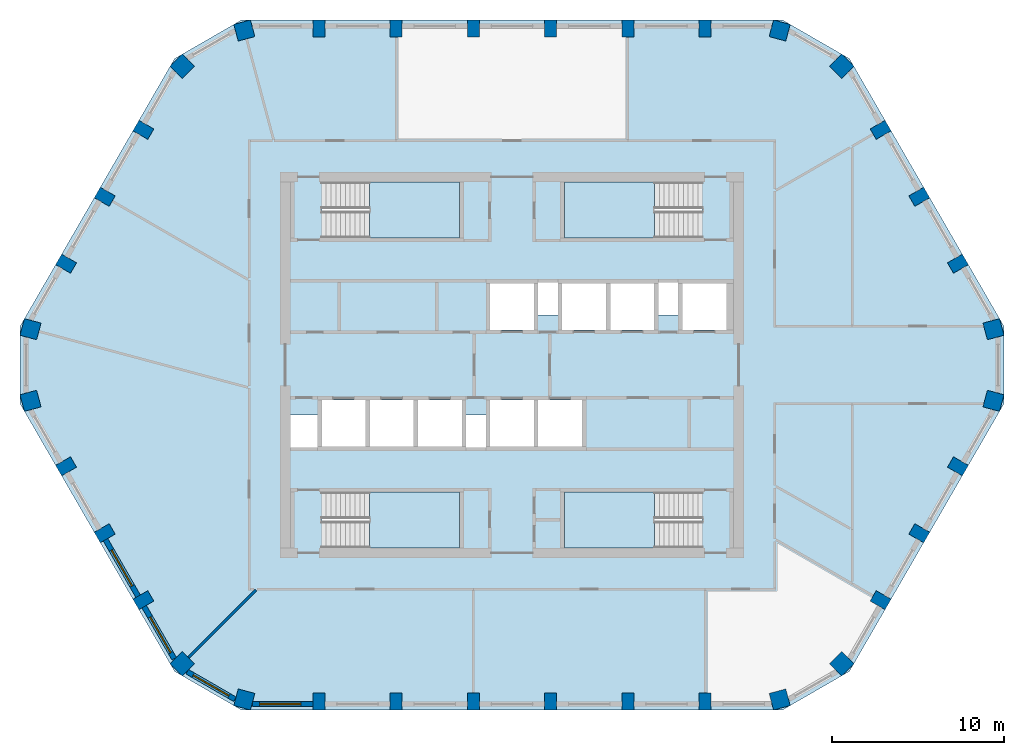
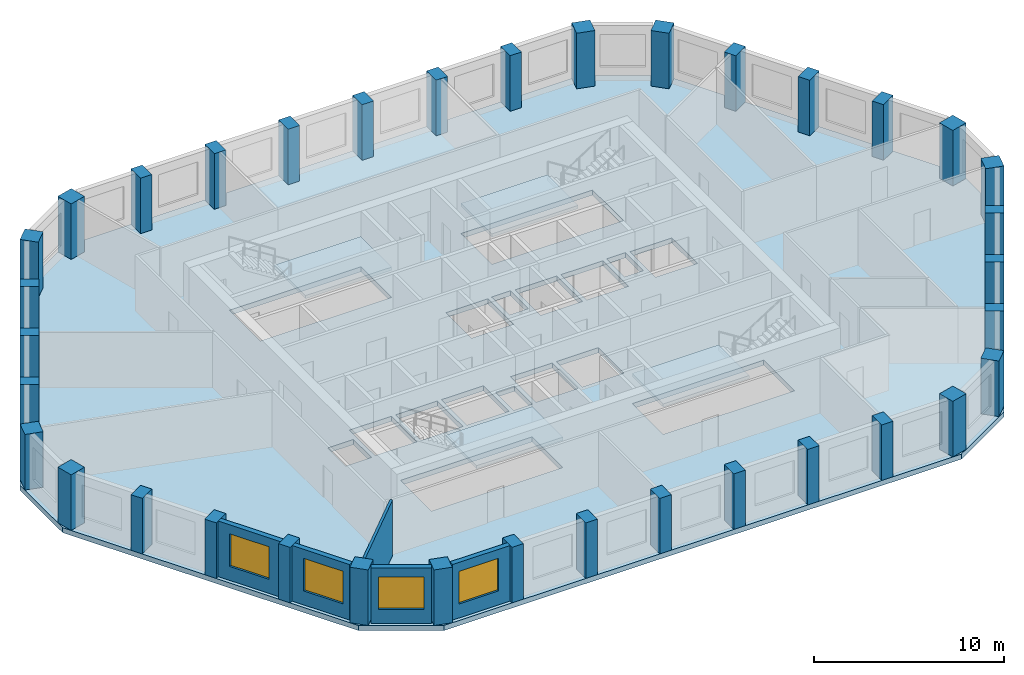
# One storey, part 1 of 10: 36 columns, 5 slabs, 5 walls, 4 windows, 4 openings, 4 elements without a shape of their own.
"""IFC4 building model written with IfcOpenShell, lengths in metres."""

import ifcopenshell
import ifcopenshell.guid

model = None  # the IFC model being written
_history = None  # IfcOwnerHistory: only IFC2X3 demands one
_inside = {}  # id of a spatial element -> (the spatial element, [elements in it])
_under = {}  # id of a project, library or spatial element -> (it, [spatial elements below it])
_declared = {}  # id of a project -> (the project, [libraries it declares])
_typed = {}  # id of a type object -> (the type object, [elements of that type])
_made_of = {}  # id of a material, layer set ... -> (it, [elements and type objects made of it])


def new_model(schema):
    """Start an empty IFC model of exactly this schema.

    Asked for "IFC4X3", IfcOpenShell would pick the latest addendum, in which some entities
    have other attributes; the version numbers below select the first issue.
    IFC2X3 requires an IfcOwnerHistory on every rooted entity: one is made here for all.
    """
    global model, _history
    if schema == "IFC4X3":
        model = ifcopenshell.file(schema_version=(4, 3, 0, 0))
    else:
        model = ifcopenshell.file(schema=schema)
    _inside.clear()
    _under.clear()
    _declared.clear()
    _typed.clear()
    _made_of.clear()
    _history = None
    if model.schema == "IFC2X3":
        org = make("IfcOrganization", Name="unknown")
        user = make(
            "IfcPersonAndOrganization",
            ThePerson=make("IfcPerson", FamilyName="unknown"),
            TheOrganization=org,
        )
        app = make(
            "IfcApplication",
            ApplicationDeveloper=org,
            Version="unknown",
            ApplicationFullName="unknown",
            ApplicationIdentifier="unknown",
        )
        _history = make(
            "IfcOwnerHistory",
            OwningUser=user,
            OwningApplication=app,
            ChangeAction="ADDED",
            CreationDate=0,
        )
    return model


def make(cls, **values):
    """One entity of the class cls with the attributes given. An attribute that is None is left unset."""
    return model.create_entity(
        cls, **{name: value for name, value in values.items() if value is not None}
    )


def rooted(cls, **values):
    """An entity with a GlobalId (a new one), such as an element, a storey or a relation."""
    return make(cls, GlobalId=ifcopenshell.guid.new(), OwnerHistory=_history, **values)


def si_unit(unit_type, name, prefix=None):
    """IfcSIUnit, for example si_unit("LENGTHUNIT", "METRE", prefix="MILLI")."""
    return make("IfcSIUnit", UnitType=unit_type, Prefix=prefix, Name=name)


def assignment(units):
    """IfcUnitAssignment: the units of a project."""
    return None if units is None else make("IfcUnitAssignment", Units=units)


def point(xyz):
    """IfcCartesianPoint."""
    return None if xyz is None else make("IfcCartesianPoint", Coordinates=xyz)


def direction(xyz):
    """IfcDirection."""
    return None if xyz is None else make("IfcDirection", DirectionRatios=xyz)


def frame(location, z_axis=None, x_axis=None):
    """IfcAxis2Placement3D, a coordinate frame: its origin and axes. An axis left out is left unset."""
    return make(
        "IfcAxis2Placement3D",
        Location=point(location),
        Axis=direction(z_axis),
        RefDirection=direction(x_axis),
    )


def frame_2d(location, x_axis=None):
    """IfcAxis2Placement2D, a coordinate frame in the plane: its origin and x axis."""
    return make(
        "IfcAxis2Placement2D", Location=point(location), RefDirection=direction(x_axis)
    )


def origin():
    """The frame at (0, 0, 0) with its axes left unset."""
    return frame((0.0, 0.0, 0.0))


def origin_2d():
    """The frame at (0, 0) in the plane with its x axis left unset."""
    return frame_2d((0.0, 0.0))


def place(relative_to, where):
    """IfcLocalPlacement: puts the frame where relative to a parent placement (None: the world)."""
    return make(
        "IfcLocalPlacement", PlacementRelTo=relative_to, RelativePlacement=where
    )


def context(
    kind, dimensions, precision=None, world=None, true_north=None, identifier=None
):
    """IfcGeometricRepresentationContext, for example the 3D "Model" context."""
    return make(
        "IfcGeometricRepresentationContext",
        ContextIdentifier=identifier,
        ContextType=kind,
        CoordinateSpaceDimension=dimensions,
        Precision=precision,
        WorldCoordinateSystem=world,
        TrueNorth=true_north,
    )


def subcontext(parent, identifier, kind, view, scale=None):
    """IfcGeometricRepresentationSubContext, for example "Body" below "Model"."""
    return make(
        "IfcGeometricRepresentationSubContext",
        ContextIdentifier=identifier,
        ContextType=kind,
        ParentContext=parent,
        TargetScale=scale,
        TargetView=view,
    )


def project(units=None, contexts=None):
    """IfcProject with its units and contexts."""
    return rooted(
        "IfcProject",
        Name="project",
        RepresentationContexts=contexts,
        UnitsInContext=assignment(units),
    )


def spatial(cls, under=None, at=None, **own):
    """A site, building, storey or space (cls), placed at a placement, below another one or the project."""
    s = rooted(cls, ObjectPlacement=at, **own)
    if under is not None:
        _under.setdefault(under.id(), (under, []))[1].append(s)
    return s


def polyline(points):
    """IfcPolyline through the points."""
    return make("IfcPolyline", Points=[point(p) for p in points])


def profile(cls, at=None, kind="AREA", **sizes):
    """A parametric profile (cls). Its sizes go by their IFC names, for example OverallWidth=200.0."""
    return make(cls, ProfileType=kind, Position=at, **sizes)


def rectangle(**sizes):
    """IfcRectangleProfileDef."""
    return profile("IfcRectangleProfileDef", **sizes)


def outline(outer, holes=None, kind="AREA"):
    """IfcArbitraryClosedProfileDef: a profile drawn as a closed curve; with holes, ...WithVoids."""
    if holes is None:
        return make("IfcArbitraryClosedProfileDef", ProfileType=kind, OuterCurve=outer)
    return make(
        "IfcArbitraryProfileDefWithVoids",
        ProfileType=kind,
        OuterCurve=outer,
        InnerCurves=holes,
    )


def extrude(swept, where, along, depth):
    """IfcExtrudedAreaSolid: the profile swept, set in the frame where, extruded along a direction by depth."""
    return make(
        "IfcExtrudedAreaSolid",
        SweptArea=swept,
        Position=where,
        ExtrudedDirection=direction(along),
        Depth=depth,
    )


def shape(context_of_items, identifier, shape_type, items):
    """IfcShapeRepresentation: the items that make up one representation, for example the "Body"."""
    return make(
        "IfcShapeRepresentation",
        ContextOfItems=context_of_items,
        RepresentationIdentifier=identifier,
        RepresentationType=shape_type,
        Items=items,
    )


def material(Name=None, Category=None):
    """IfcMaterial."""
    return make("IfcMaterial", Name=Name, Category=Category)


def layer(
    of_material, thickness, ventilated=None, Name=None, Category=None, Priority=None
):
    """IfcMaterialLayer: one layer of a wall or slab, of a material (None: an air gap)."""
    return make(
        "IfcMaterialLayer",
        Material=of_material,
        LayerThickness=thickness,
        IsVentilated=ventilated,
        Name=Name,
        Category=Category,
        Priority=Priority,
    )


def layer_set(layers, Name=None):
    """IfcMaterialLayerSet."""
    return make("IfcMaterialLayerSet", MaterialLayers=layers, LayerSetName=Name)


def material_profile(
    of_material, cross_section, Name=None, Category=None, Priority=None
):
    """IfcMaterialProfile: a cross section and its material."""
    return make(
        "IfcMaterialProfile",
        Name=Name,
        Material=of_material,
        Profile=cross_section,
        Priority=Priority,
        Category=Category,
    )


def profile_set(profiles, Name=None, composite=None):
    """IfcMaterialProfileSet."""
    return make(
        "IfcMaterialProfileSet",
        Name=Name,
        MaterialProfiles=profiles,
        CompositeProfile=composite,
    )


def made_of(thing, what):
    """Note that an element or type object is made of a material, layer set ...; save() writes the relation."""
    if what is not None:
        _made_of.setdefault(what.id(), (what, []))[1].append(thing)
    return thing


def type_object(cls, material=None, **own):
    """A type object (cls), such as IfcWallType, which elements share."""
    return made_of(rooted(cls, **own), material)


def element(
    cls,
    number,
    at=None,
    inside=None,
    cuts=None,
    type_object=None,
    material=None,
    context=None,
    identifier="Body",
    shape_type=None,
    held_by="IfcProductDefinitionShape",
    body=None,
    shapes=None,
    **own,
):
    """One element of the class cls, such as IfcWall. Its Tag is "e" and its number.

    at: its placement. inside: the storey or other place that contains it. cuts: it is an
    opening in that element (IfcRelVoidsElement). A single representation is given by context,
    identifier, shape_type and body (its items); several are given by shapes. held_by: the class
    of the entity that holds the representations. save() writes the other relations.
    """
    e = rooted(cls, Tag="e%d" % number, ObjectPlacement=at, **own)
    if body is not None:
        shapes = [shape(context, identifier, shape_type, body)]
    if shapes is not None:
        e.Representation = make(held_by, Representations=shapes)
    if inside is not None:
        _inside.setdefault(inside.id(), (inside, []))[1].append(e)
    if cuts is not None:
        rooted(
            "IfcRelVoidsElement", RelatingBuildingElement=cuts, RelatedOpeningElement=e
        )
    if type_object is not None:
        _typed.setdefault(type_object.id(), (type_object, []))[1].append(e)
    return made_of(e, material)


def fill(opening, filler):
    """IfcRelFillsElement: the door or window that sits in an opening."""
    return rooted(
        "IfcRelFillsElement",
        RelatingOpeningElement=opening,
        RelatedBuildingElement=filler,
    )


def aggregate(whole, parts):
    """IfcRelAggregates: a whole, such as a stair, and the parts it consists of."""
    return rooted("IfcRelAggregates", RelatingObject=whole, RelatedObjects=parts)


def save(model, path):
    """Write the relations noted so far, then the file.

    IfcRelAggregates (storeys below a building ...), IfcRelContainedInSpatialStructure (elements
    in a storey), IfcRelDefinesByType, IfcRelAssociatesMaterial and IfcRelDeclares: one each for
    every whole, place, type object, material and project.
    """
    for whole, parts in _under.values():
        aggregate(whole, parts)
    for where, things in _inside.values():
        rooted(
            "IfcRelContainedInSpatialStructure",
            RelatedElements=things,
            RelatingStructure=where,
        )
    for kind, things in _typed.values():
        rooted("IfcRelDefinesByType", RelatedObjects=things, RelatingType=kind)
    for what, things in _made_of.values():
        rooted("IfcRelAssociatesMaterial", RelatedObjects=things, RelatingMaterial=what)
    for by, libraries in _declared.values():
        rooted("IfcRelDeclares", RelatingContext=by, RelatedDefinitions=libraries)
    model.write(path)


model = new_model("IFC4")

# Units and contexts
model_context = context("Model", 3, precision=1e-05, world=origin(), true_north=direction((0.0, 1.0)))
body_context = subcontext(model_context, "Body", "Model", "MODEL_VIEW")
ifc_project = project(units=[si_unit("LENGTHUNIT", "METRE"), si_unit("AREAUNIT", "SQUARE_METRE"), si_unit("VOLUMEUNIT", "CUBIC_METRE"), si_unit("PLANEANGLEUNIT", "RADIAN"), si_unit("MASSUNIT", "GRAM", prefix="KILO")], contexts=[model_context])

# Site, building, storey
site_placement = place(None, origin())
site = spatial("IfcSite", under=ifc_project, at=site_placement, CompositionType="ELEMENT")
building_placement = place(site_placement, origin())
building = spatial("IfcBuilding", under=site, at=building_placement, Name="Dhurran Vertical Campus", CompositionType="ELEMENT")
storey_placement = place(building_placement, frame((0.0, 0.0, 246.89990234375)))
storey = spatial("IfcBuildingStorey", under=building, at=storey_placement, Name="L61", CompositionType="ELEMENT", Elevation=246.89990234375)

# Columns
ifc_material_1 = material(Name="Concrete C50/60", Category="concrete")
ifc_material_profile_1 = material_profile(ifc_material_1, rectangle(XDim=1.0, YDim=1.0, at=origin_2d()), Name="RC 1000x1000")
ifc_profile_set_1 = profile_set([ifc_material_profile_1], Name="Concrete C50/60")
column_type_1 = type_object("IfcColumnType", Name="FR COL RC 1000x1000 C50/60", PredefinedType="COLUMN", material=ifc_profile_set_1)
for number, where, z_axis, x_axis, name in (
    (1, (-15.5859375, -19.47607421875, 0.0), (0.0, 0.0, 1.0), (0.965925826289, -0.258819045103, 0.0), "Perimeter pier PP5.00"),
    (2, (15.5859375, -19.47607421875, 0.0), (0.0, 0.0, 1.0), (0.965925826289, 0.258819045103, 0.0), "Perimeter pier PP5.07"),
    (3, (19.19873046875, -17.39013671875, 0.0), (0.0, 0.0, 1.0), (0.707106781187, 0.707106781187, 0.0), "Perimeter pier PP5.08"),
    (4, (28.03466796875, -2.0859375, 0.0), (0.0, 0.0, 1.0), (0.258819045103, 0.965925826289, 0.0), "Perimeter pier PP5.12"),
    (5, (28.03466796875, 2.0859375, 0.0), (0.0, 0.0, 1.0), (-0.258819045103, 0.965925826289, 0.0), "Perimeter pier PP5.13"),
    (6, (19.19873046875, 17.39013671875, 0.0), (0.0, 0.0, 1.0), (-0.707106781187, 0.707106781187, 0.0), "Perimeter pier PP5.17"),
    (7, (15.5859375, 19.47607421875, 0.0), (0.0, 0.0, 1.0), (-0.965925826289, 0.258819045103, 0.0), "Perimeter pier PP5.18"),
    (8, (-15.5859375, 19.47607421875, 0.0), (0.0, 0.0, 1.0), (-0.965925826289, -0.258819045103, 0.0), "Perimeter pier PP5.25"),
    (9, (-19.19873046875, 17.39013671875, 0.0), (0.0, 0.0, 1.0), (-0.707106781187, -0.707106781187, 0.0), "Perimeter pier PP5.26"),
    (10, (-28.03466796875, 2.0859375, 0.0), (0.0, 0.0, 1.0), (-0.258819045103, -0.965925826289, 0.0), "Perimeter pier PP5.30"),
    (11, (-28.03466796875, -2.0859375, 0.0), (0.0, 0.0, 1.0), (0.258819045103, -0.965925826289, 0.0), "Perimeter pier PP5.31"),
    (12, (-19.19873046875, -17.39013671875, 0.0), (0.0, 0.0, 1.0), (0.707106781187, -0.707106781187, 0.0), "Perimeter pier PP5.35"),
):
    element("IfcColumn", number, at=place(storey_placement, frame(where, z_axis=z_axis, x_axis=x_axis)), inside=storey, type_object=column_type_1, Name=name, PredefinedType="COLUMN", context=body_context, shape_type="SweptSolid", body=[
        extrude(rectangle(XDim=1.0, YDim=1.0, at=origin_2d()), origin(), (0.0, 0.0, 1.0), 3.5751953125),
    ])
ifc_material_2 = material(Name="Concrete C50/60", Category="concrete")
ifc_material_profile_2 = material_profile(ifc_material_2, rectangle(XDim=0.699951171875, YDim=1.0, at=origin_2d()), Name="RC 700x1000")
ifc_profile_set_2 = profile_set([ifc_material_profile_2], Name="Concrete C50/60")
column_type_2 = type_object("IfcColumnType", Name="FR COL RC 700x1000 C50/60", PredefinedType="COLUMN", material=ifc_profile_set_2)
for number, where, z_axis, x_axis, name in (
    (13, (-11.25, -19.58837890625, 0.0), (0.0, 0.0, 1.0), (1.0, 0.0, 0.0), "Perimeter pier PP5.01"),
    (14, (-6.75, -19.58837890625, 0.0), (0.0, 0.0, 1.0), (1.0, 0.0, 0.0), "Perimeter pier PP5.02"),
    (15, (-2.25, -19.58837890625, 0.0), (0.0, 0.0, 1.0), (1.0, 0.0, 0.0), "Perimeter pier PP5.03"),
    (16, (2.25, -19.58837890625, 0.0), (0.0, 0.0, 1.0), (1.0, 0.0, 0.0), "Perimeter pier PP5.04"),
    (17, (6.75, -19.58837890625, 0.0), (0.0, 0.0, 1.0), (1.0, 0.0, 0.0), "Perimeter pier PP5.05"),
    (18, (11.25, -19.58837890625, 0.0), (0.0, 0.0, 1.0), (1.0, 0.0, 0.0), "Perimeter pier PP5.06"),
    (19, (21.464111328125, -13.69140625, 0.0), (0.0, 0.0, 1.0), (0.5, 0.866025403784, 0.0), "Perimeter pier PP5.09"),
    (20, (23.714111328125, -9.794189453125, 0.0), (0.0, 0.0, 1.0), (0.5, 0.866025403784, 0.0), "Perimeter pier PP5.10"),
    (21, (25.964111328125, -5.897216796875, 0.0), (0.0, 0.0, 1.0), (0.5, 0.866025403784, 0.0), "Perimeter pier PP5.11"),
    (22, (25.964111328125, 5.897216796875, 0.0), (0.0, 0.0, 1.0), (-0.5, 0.866025403784, 0.0), "Perimeter pier PP5.14"),
    (23, (23.714111328125, 9.794189453125, 0.0), (0.0, 0.0, 1.0), (-0.5, 0.866025403784, 0.0), "Perimeter pier PP5.15"),
    (24, (21.464111328125, 13.69140625, 0.0), (0.0, 0.0, 1.0), (-0.5, 0.866025403784, 0.0), "Perimeter pier PP5.16"),
    (25, (11.25, 19.58837890625, 0.0), (0.0, 0.0, 1.0), (-1.0, 0.0, 0.0), "Perimeter pier PP5.19"),
    (26, (6.75, 19.58837890625, 0.0), (0.0, 0.0, 1.0), (-1.0, 0.0, 0.0), "Perimeter pier PP5.20"),
    (27, (2.25, 19.58837890625, 0.0), (0.0, 0.0, 1.0), (-1.0, 0.0, 0.0), "Perimeter pier PP5.21"),
    (28, (-2.25, 19.58837890625, 0.0), (0.0, 0.0, 1.0), (-1.0, 0.0, 0.0), "Perimeter pier PP5.22"),
    (29, (-6.75, 19.58837890625, 0.0), (0.0, 0.0, 1.0), (-1.0, 0.0, 0.0), "Perimeter pier PP5.23"),
    (30, (-11.25, 19.58837890625, 0.0), (0.0, 0.0, 1.0), (-1.0, 0.0, 0.0), "Perimeter pier PP5.24"),
    (31, (-21.464111328125, 13.69140625, 0.0), (0.0, 0.0, 1.0), (-0.5, -0.866025403784, 0.0), "Perimeter pier PP5.27"),
    (32, (-23.714111328125, 9.794189453125, 0.0), (0.0, 0.0, 1.0), (-0.5, -0.866025403784, 0.0), "Perimeter pier PP5.28"),
    (33, (-25.964111328125, 5.897216796875, 0.0), (0.0, 0.0, 1.0), (-0.5, -0.866025403784, 0.0), "Perimeter pier PP5.29"),
    (34, (-25.964111328125, -5.897216796875, 0.0), (0.0, 0.0, 1.0), (0.5, -0.866025403784, 0.0), "Perimeter pier PP5.32"),
    (35, (-23.714111328125, -9.794189453125, 0.0), (0.0, 0.0, 1.0), (0.5, -0.866025403784, 0.0), "Perimeter pier PP5.33"),
    (36, (-21.464111328125, -13.69140625, 0.0), (0.0, 0.0, 1.0), (0.5, -0.866025403784, 0.0), "Perimeter pier PP5.34"),
):
    element("IfcColumn", number, at=place(storey_placement, frame(where, z_axis=z_axis, x_axis=x_axis)), inside=storey, type_object=column_type_2, Name=name, PredefinedType="COLUMN", context=body_context, shape_type="SweptSolid", body=[
        extrude(rectangle(XDim=0.699951171875, YDim=1.0, at=origin_2d()), origin(), (0.0, 0.0, 1.0), 3.5751953125),
    ])

# Slab
ifc_material_3 = material(Name="Concrete C40/50", Category="concrete")
ifc_layer_1 = layer(ifc_material_3, 0.324951171875)
ifc_layer_set_1 = layer_set([ifc_layer_1], Name="Concrete C40/50")
slab_type_1 = type_object("IfcSlabType", Name="FR POST-TENSIONED FLAT SLAB 325", PredefinedType="FLOOR", material=ifc_layer_set_1)
slab_1_placement = place(storey_placement, frame((0.0, 0.0, -0.324951171875)))
element("IfcSlab", 37, at=slab_1_placement, inside=storey, type_object=slab_type_1, Name="Floor slab L61", PredefinedType="FLOOR", context=body_context, shape_type="SweptSolid", body=[
    extrude(outline(polyline([(-15.75, -20.08837890625), (15.75, -20.08837890625), (19.647216796875, -17.83837890625), (28.647216796875, -2.25), (28.647216796875, 2.25), (19.647216796875, 17.83837890625), (15.75, 20.08837890625), (-15.75, 20.08837890625), (-19.647216796875, 17.83837890625), (-28.647216796875, 2.25), (-28.647216796875, -2.25), (-19.647216796875, -17.83837890625), (-15.75, -20.08837890625)]), holes=[polyline([(-1.27490234375, 2.050048828125), (1.27490234375, 2.050048828125), (1.27490234375, 4.75), (-1.27490234375, 4.75), (-1.27490234375, 2.050048828125)]), polyline([(9.925048828125, 2.050048828125), (12.47509765625, 2.050048828125), (12.47509765625, 4.75), (9.925048828125, 4.75), (9.925048828125, 2.050048828125)]), polyline([(-1.27490234375, -4.75), (1.27490234375, -4.75), (1.27490234375, -2.050048828125), (-1.27490234375, -2.050048828125), (-1.27490234375, -4.75)]), polyline([(1.52490234375, -4.75), (4.074951171875, -4.75), (4.074951171875, -2.050048828125), (1.52490234375, -2.050048828125), (1.52490234375, -4.75)]), polyline([(2.925048828125, 2.050048828125), (5.47509765625, 2.050048828125), (5.47509765625, 4.75), (2.925048828125, 4.75), (2.925048828125, 2.050048828125)]), polyline([(5.72509765625, 2.050048828125), (8.27490234375, 2.050048828125), (8.27490234375, 4.75), (5.72509765625, 4.75), (5.72509765625, 2.050048828125)]), polyline([(-11.074951171875, -4.75), (-8.52490234375, -4.75), (-8.52490234375, -2.050048828125), (-11.074951171875, -2.050048828125), (-11.074951171875, -4.75)]), polyline([(-8.27490234375, -4.75), (-5.72509765625, -4.75), (-5.72509765625, -2.050048828125), (-8.27490234375, -2.050048828125), (-8.27490234375, -4.75)]), polyline([(-5.47509765625, -4.75), (-2.925048828125, -4.75), (-2.925048828125, -2.050048828125), (-5.47509765625, -2.050048828125), (-5.47509765625, -4.75)]), polyline([(-11.050048828125, 7.39990234375), (-3.050048828125, 7.39990234375), (-3.050048828125, 10.64990234375), (-11.050048828125, 10.64990234375), (-11.050048828125, 7.39990234375)]), polyline([(3.050048828125, 7.39990234375), (11.050048828125, 7.39990234375), (11.050048828125, 10.64990234375), (3.050048828125, 10.64990234375), (3.050048828125, 7.39990234375)]), polyline([(-11.050048828125, -10.64990234375), (-3.050048828125, -10.64990234375), (-3.050048828125, -7.39990234375), (-11.050048828125, -7.39990234375), (-11.050048828125, -10.64990234375)]), polyline([(3.050048828125, -10.64990234375), (11.050048828125, -10.64990234375), (11.050048828125, -7.39990234375), (3.050048828125, -7.39990234375), (3.050048828125, -10.64990234375)]), polyline([(2.675048828125, 2.89990234375), (1.52490234375, 2.89990234375), (1.52490234375, 4.800048828125), (2.675048828125, 4.800048828125), (2.675048828125, 2.89990234375)]), polyline([(-12.89990234375, -2.89990234375), (-11.324951171875, -2.89990234375), (-11.324951171875, -4.800048828125), (-12.89990234375, -4.800048828125), (-12.89990234375, -2.89990234375)]), polyline([(-2.675048828125, -2.89990234375), (-1.52490234375, -2.89990234375), (-1.52490234375, -4.800048828125), (-2.675048828125, -4.800048828125), (-2.675048828125, -2.89990234375)]), polyline([(9.675048828125, 2.89990234375), (8.52490234375, 2.89990234375), (8.52490234375, 4.800048828125), (9.675048828125, 4.800048828125), (9.675048828125, 2.89990234375)])]), origin(), (0.0, 0.0, 1.0), 0.324951171875),
])

# Stair, slab
ifc_material_4 = material(Name="Concrete C40/50", Category="concrete")
stair_type = type_object("IfcStairType", Name="co-ST-CORE", PredefinedType="HALF_TURN_STAIR", material=ifc_material_4)
stair_1_placement = place(storey_placement, origin())
stair_1 = element("IfcStair", 38, at=stair_1_placement, inside=storey, type_object=stair_type, Name="L61 Protected exit stair ST1", PredefinedType="HALF_TURN_STAIR")
ifc_material_5 = material(Name="Concrete C40/50", Category="concrete")
ifc_layer_2 = layer(ifc_material_5, 0.199951171875)
ifc_layer_set_2 = layer_set([ifc_layer_2], Name="Concrete C40/50")
slab_type_2 = type_object("IfcSlabType", Name="co-SL-LANDING", PredefinedType="LANDING", material=ifc_layer_set_2)
slab_2_placement = place(storey_placement, frame((0.0, 0.0, 1.75)))
slab_2 = element("IfcSlab", 39, at=slab_2_placement, type_object=slab_type_2, Name="ST1 landing 1", PredefinedType="LANDING", context=body_context, shape_type="SweptSolid", body=[
    extrude(outline(polyline([(-8.300048828125, 7.39990234375), (-3.050048828125, 7.39990234375), (-3.050048828125, 10.64990234375), (-8.300048828125, 10.64990234375), (-8.300048828125, 7.39990234375)])), origin(), (0.0, 0.0, 1.0), 0.2001953125),
])
aggregate(stair_1, [slab_2])

stair_2_placement = place(storey_placement, origin())
stair_2 = element("IfcStair", 40, at=stair_2_placement, inside=storey, type_object=stair_type, Name="L61 Protected exit stair ST2", PredefinedType="HALF_TURN_STAIR")
slab_3_placement = place(storey_placement, frame((0.0, 0.0, 1.75)))
slab_3 = element("IfcSlab", 41, at=slab_3_placement, type_object=slab_type_2, Name="ST2 landing 1", PredefinedType="LANDING", context=body_context, shape_type="SweptSolid", body=[
    extrude(outline(polyline([(8.300048828125, 10.64990234375), (3.050048828125, 10.64990234375), (3.050048828125, 7.39990234375), (8.300048828125, 7.39990234375), (8.300048828125, 10.64990234375)])), origin(), (0.0, 0.0, 1.0), 0.2001953125),
])
aggregate(stair_2, [slab_3])

stair_3_placement = place(storey_placement, origin())
stair_3 = element("IfcStair", 42, at=stair_3_placement, inside=storey, type_object=stair_type, Name="L61 Protected exit stair ST3", PredefinedType="HALF_TURN_STAIR")
slab_4_placement = place(storey_placement, frame((0.0, 0.0, 1.75)))
slab_4 = element("IfcSlab", 43, at=slab_4_placement, type_object=slab_type_2, Name="ST3 landing 1", PredefinedType="LANDING", context=body_context, shape_type="SweptSolid", body=[
    extrude(outline(polyline([(-8.300048828125, -10.64990234375), (-3.050048828125, -10.64990234375), (-3.050048828125, -7.39990234375), (-8.300048828125, -7.39990234375), (-8.300048828125, -10.64990234375)])), origin(), (0.0, 0.0, 1.0), 0.2001953125),
])
aggregate(stair_3, [slab_4])

stair_4_placement = place(storey_placement, origin())
stair_4 = element("IfcStair", 44, at=stair_4_placement, inside=storey, type_object=stair_type, Name="L61 Protected exit stair ST4", PredefinedType="HALF_TURN_STAIR")
slab_5_placement = place(storey_placement, frame((0.0, 0.0, 1.75)))
slab_5 = element("IfcSlab", 45, at=slab_5_placement, type_object=slab_type_2, Name="ST4 landing 1", PredefinedType="LANDING", context=body_context, shape_type="SweptSolid", body=[
    extrude(outline(polyline([(8.300048828125, -7.39990234375), (3.050048828125, -7.39990234375), (3.050048828125, -10.64990234375), (8.300048828125, -10.64990234375), (8.300048828125, -7.39990234375)])), origin(), (0.0, 0.0, 1.0), 0.2001953125),
])
aggregate(stair_4, [slab_5])

# Wall, opening, window
ifc_material_6 = material(Name="Precast concrete C50/60", Category="concrete")
ifc_layer_3 = layer(ifc_material_6, 0.300048828125)
ifc_layer_set_3 = layer_set([ifc_layer_3], Name="Precast concrete C50/60")
wall_type_1 = type_object("IfcWallType", Name="Precast spandrel wall 300", PredefinedType="SOLIDWALL", material=ifc_layer_set_3)
wall_1_placement = place(storey_placement, frame((-15.09814453125, -19.738525390625, 0.0), z_axis=(0.0, 0.0, 1.0), x_axis=(1.0, 0.0, 0.0)))
wall_1 = element("IfcWall", 46, at=wall_1_placement, inside=storey, type_object=wall_type_1, Name="EW1 L61.00", PredefinedType="SOLIDWALL", context=body_context, shape_type="SweptSolid", body=[
    extrude(rectangle(XDim=3.49755859375, YDim=0.300048828125, at=frame_2d((1.748779296875, 0.0))), origin(), (0.0, 0.0, 1.0), 3.5751953125),
])
opening_1_placement = place(wall_1_placement, frame((0.398193359375, 0.0, 0.89990234375)))
opening_1 = element("IfcOpeningElement", 47, at=opening_1_placement, cuts=wall_1, Name="Opening WT1", PredefinedType="OPENING", context=body_context, shape_type="SweptSolid", body=[
    extrude(rectangle(XDim=2.39990234375, YDim=2.10009765625, at=frame_2d((1.199951171875, 1.050048828125))), frame((0.0, 0.159912109375, 0.0), z_axis=(0.0, -1.0, 0.0), x_axis=(1.0, 0.0, 0.0)), (0.0, 0.0, 1.0), 0.320068359375),
])
ifc_material_7 = material(Name="Aluminium frame with solar-control glass", Category="aluminium")
window_type = type_object("IfcWindowType", Name="Punched window 2400 x 2100", PartitioningType="SINGLE_PANEL", PredefinedType="WINDOW", material=ifc_material_7)
window_1_placement = place(opening_1_placement, origin())
window_1 = element("IfcWindow", 48, at=window_1_placement, inside=storey, type_object=window_type, Name="WT1 L61.00", OverallHeight=2.10009765625, OverallWidth=2.39990234375, PartitioningType="SINGLE_PANEL", PredefinedType="WINDOW", context=body_context, shape_type="SweptSolid", body=[
    extrude(rectangle(XDim=2.39990234375, YDim=2.10009765625, at=frame_2d((1.199951171875, 1.050048828125))), frame((0.0, 0.030029296875, 0.0), z_axis=(0.0, -1.0, 0.0), x_axis=(1.0, 0.0, 0.0)), (0.0, 0.0, 1.0), 0.06005859375),
])
fill(opening_1, window_1)

wall_2_placement = place(storey_placement, frame((-23.668701171875, -10.1728515625, 0.0), z_axis=(0.0, 0.0, 1.0), x_axis=(0.499982058975, -0.866035761792, 0.0)))
wall_2 = element("IfcWall", 49, at=wall_2_placement, inside=storey, type_object=wall_type_1, Name="EW1 L61.33", PredefinedType="SOLIDWALL", context=body_context, shape_type="SweptSolid", body=[
    extrude(rectangle(XDim=3.799072265625, YDim=0.300048828125, at=frame_2d((1.8994140625, 0.0))), origin(), (0.0, 0.0, 1.0), 3.5751953125),
])
opening_2_placement = place(wall_2_placement, frame((0.699462890625, 0.0, 0.89990234375)))
opening_2 = element("IfcOpeningElement", 50, at=opening_2_placement, cuts=wall_2, Name="Opening WT1", PredefinedType="OPENING", context=body_context, shape_type="SweptSolid", body=[
    extrude(rectangle(XDim=2.39990234375, YDim=2.10009765625, at=frame_2d((1.199951171875, 1.050048828125))), frame((0.0, 0.159912109375, 0.0), z_axis=(0.0, -1.0, 0.0), x_axis=(1.0, 0.0, 0.0)), (0.0, 0.0, 1.0), 0.320068359375),
])
window_2_placement = place(opening_2_placement, origin())
window_2 = element("IfcWindow", 51, at=window_2_placement, inside=storey, type_object=window_type, Name="WT1 L61.33", OverallHeight=2.10009765625, OverallWidth=2.39990234375, PartitioningType="SINGLE_PANEL", PredefinedType="WINDOW", context=body_context, shape_type="SweptSolid", body=[
    extrude(rectangle(XDim=2.39990234375, YDim=2.10009765625, at=frame_2d((1.199951171875, 1.050048828125))), frame((0.0, 0.030029296875, 0.0), z_axis=(0.0, -1.0, 0.0), x_axis=(1.0, 0.0, 0.0)), (0.0, 0.0, 1.0), 0.06005859375),
])
fill(opening_2, window_2)

wall_3_placement = place(storey_placement, frame((-21.418701171875, -14.06982421875, 0.0), z_axis=(0.0, 0.0, 1.0), x_axis=(0.499960102815, -0.866048437209, 0.0)))
wall_3 = element("IfcWall", 52, at=wall_3_placement, inside=storey, type_object=wall_type_1, Name="EW1 L61.34", PredefinedType="SOLIDWALL", context=body_context, shape_type="SweptSolid", body=[
    extrude(rectangle(XDim=3.497802734375, YDim=0.300048828125, at=frame_2d((1.7490234375, 0.0))), origin(), (0.0, 0.0, 1.0), 3.5751953125),
])
opening_3_placement = place(wall_3_placement, frame((0.699462890625, 0.0, 0.89990234375)))
opening_3 = element("IfcOpeningElement", 53, at=opening_3_placement, cuts=wall_3, Name="Opening WT1", PredefinedType="OPENING", context=body_context, shape_type="SweptSolid", body=[
    extrude(rectangle(XDim=2.39990234375, YDim=2.10009765625, at=frame_2d((1.199951171875, 1.050048828125))), frame((0.0, 0.159912109375, 0.0), z_axis=(0.0, -1.0, 0.0), x_axis=(1.0, 0.0, 0.0)), (0.0, 0.0, 1.0), 0.320068359375),
])
window_3_placement = place(opening_3_placement, origin())
window_3 = element("IfcWindow", 54, at=window_3_placement, inside=storey, type_object=window_type, Name="WT1 L61.34", OverallHeight=2.10009765625, OverallWidth=2.39990234375, PartitioningType="SINGLE_PANEL", PredefinedType="WINDOW", context=body_context, shape_type="SweptSolid", body=[
    extrude(rectangle(XDim=2.39990234375, YDim=2.10009765625, at=frame_2d((1.199951171875, 1.050048828125))), frame((0.0, 0.030029296875, 0.0), z_axis=(0.0, -1.0, 0.0), x_axis=(1.0, 0.0, 0.0)), (0.0, 0.0, 1.0), 0.06005859375),
])
fill(opening_3, window_3)

wall_4_placement = place(storey_placement, frame((-18.90771484375, -17.861328125, 0.0), z_axis=(0.0, 0.0, 1.0), x_axis=(0.866025316205, -0.500000151692, 0.0)))
wall_4 = element("IfcWall", 55, at=wall_4_placement, inside=storey, type_object=wall_type_1, Name="EW1 L61.35", PredefinedType="SOLIDWALL", context=body_context, shape_type="SweptSolid", body=[
    extrude(rectangle(XDim=3.1962890625, YDim=0.300048828125, at=frame_2d((1.59814453125, 0.0))), origin(), (0.0, 0.0, 1.0), 3.5751953125),
])
opening_4_placement = place(wall_4_placement, frame((0.398193359375, 0.0, 0.89990234375)))
opening_4 = element("IfcOpeningElement", 56, at=opening_4_placement, cuts=wall_4, Name="Opening WT1", PredefinedType="OPENING", context=body_context, shape_type="SweptSolid", body=[
    extrude(rectangle(XDim=2.39990234375, YDim=2.10009765625, at=frame_2d((1.199951171875, 1.050048828125))), frame((0.0, 0.159912109375, 0.0), z_axis=(0.0, -1.0, 0.0), x_axis=(1.0, 0.0, 0.0)), (0.0, 0.0, 1.0), 0.320068359375),
])
window_4_placement = place(opening_4_placement, origin())
window_4 = element("IfcWindow", 57, at=window_4_placement, inside=storey, type_object=window_type, Name="WT1 L61.35", OverallHeight=2.10009765625, OverallWidth=2.39990234375, PartitioningType="SINGLE_PANEL", PredefinedType="WINDOW", context=body_context, shape_type="SweptSolid", body=[
    extrude(rectangle(XDim=2.39990234375, YDim=2.10009765625, at=frame_2d((1.199951171875, 1.050048828125))), frame((0.0, 0.030029296875, 0.0), z_axis=(0.0, -1.0, 0.0), x_axis=(1.0, 0.0, 0.0)), (0.0, 0.0, 1.0), 0.06005859375),
])
fill(opening_4, window_4)

# Wall
ifc_material_8 = material(Name="Gypsum board partition on steel studs", Category="steel")
ifc_layer_4 = layer(ifc_material_8, 0.14990234375)
ifc_layer_set_4 = layer_set([ifc_layer_4], Name="Gypsum board partition on steel studs")
wall_type_2 = type_object("IfcWallType", Name="fl-PW-150 fixed partition", PredefinedType="PARTITIONING", material=ifc_layer_set_4)
wall_5_placement = place(storey_placement, frame((-14.912109375, -13.10302734375, 0.0), z_axis=(0.0, 0.0, 1.0), x_axis=(-0.707018679171, -0.707194872226, 0.0)))
element("IfcWall", 58, at=wall_5_placement, inside=storey, type_object=wall_type_2, Name="Partition 61-03", PredefinedType="PARTITIONING", context=body_context, shape_type="SweptSolid", body=[
    extrude(rectangle(XDim=5.54248046875, YDim=0.14990234375, at=frame_2d((2.771240234375, 0.0))), origin(), (0.0, 0.0, 1.0), 3.5751953125),
])

save(model, "model.ifc")
